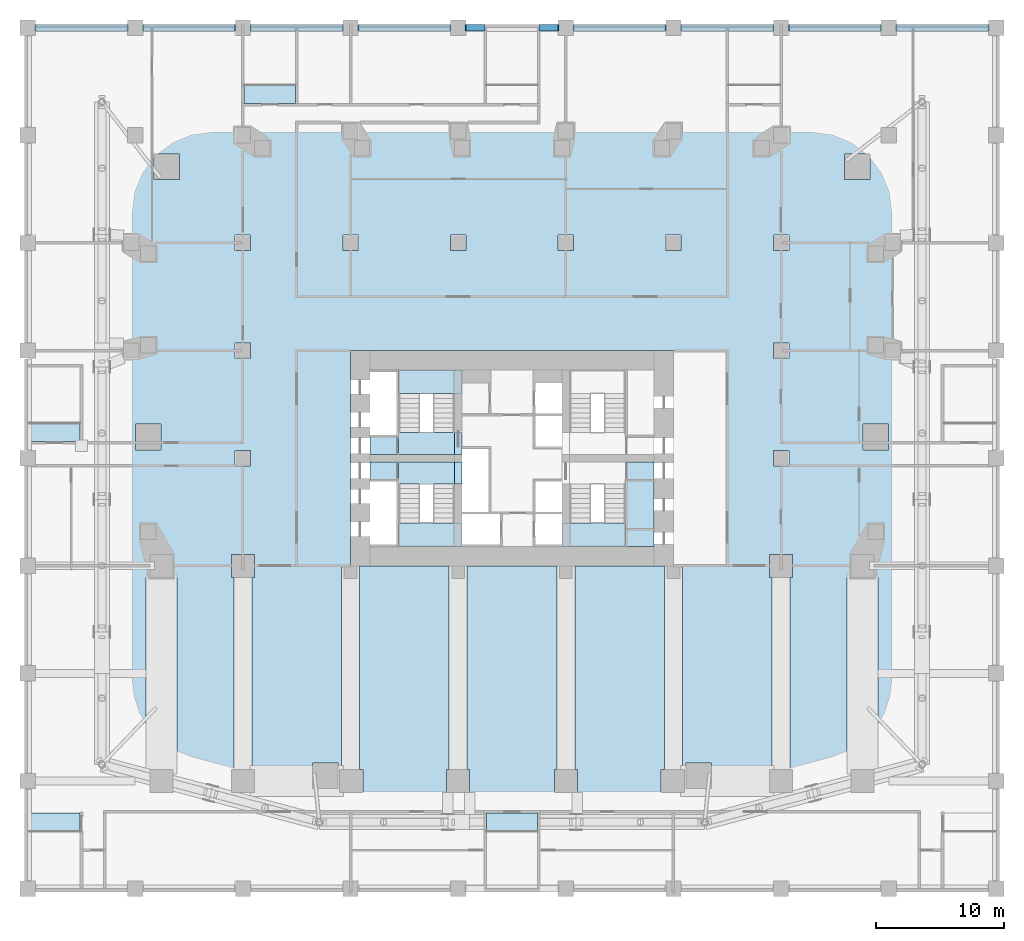
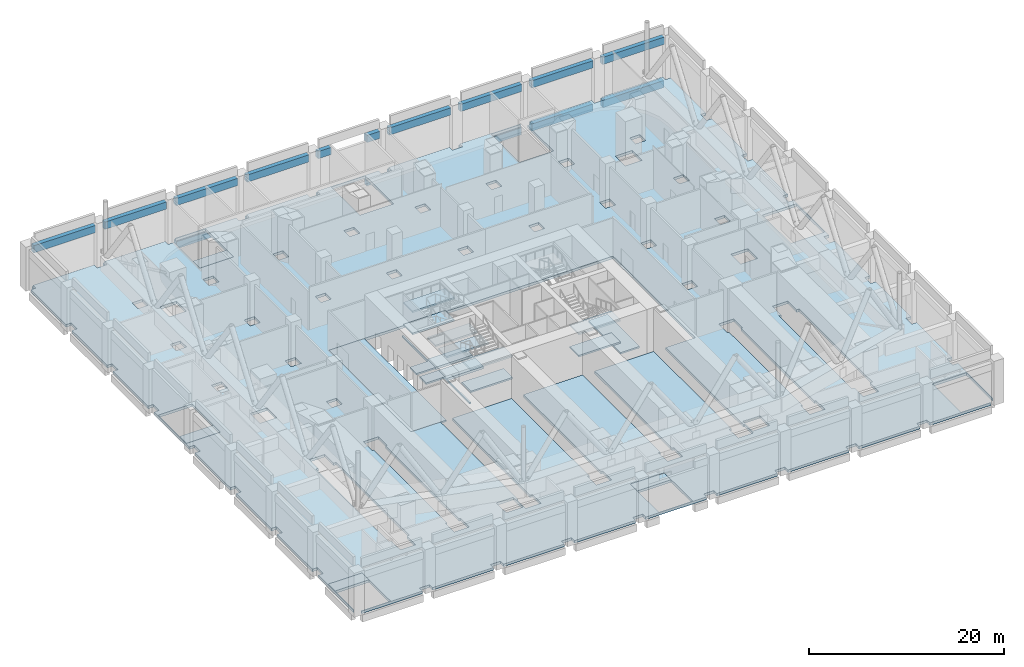
# One storey, part 5 of 17: 20 beams, 19 slabs, 3 elements without a shape of their own.
"""IFC4 building model written with IfcOpenShell, lengths in metres."""

from ifc_helpers import new_model, si_unit, direction, frame, origin, origin_2d, place, context, subcontext, project, spatial, polyline, rectangle, outline, extrude, material, layer, layer_set, material_profile, profile_set, type_object, element, aggregate, save


model = new_model("IFC4")

# Units and contexts
model_context = context("Model", 3, precision=1e-05, world=origin(), true_north=direction((0.0, 1.0)))
body_context = subcontext(model_context, "Body", "Model", "MODEL_VIEW")
ifc_project = project(units=[si_unit("LENGTHUNIT", "METRE"), si_unit("AREAUNIT", "SQUARE_METRE"), si_unit("VOLUMEUNIT", "CUBIC_METRE"), si_unit("PLANEANGLEUNIT", "RADIAN"), si_unit("MASSUNIT", "GRAM", prefix="KILO")], contexts=[model_context])

# Site, building, storey
site_placement = place(None, origin())
site = spatial("IfcSite", under=ifc_project, at=site_placement, CompositionType="ELEMENT")
building_placement = place(site_placement, origin())
building = spatial("IfcBuilding", under=site, at=building_placement, Name="Marenta Gate Hotel Tower", CompositionType="ELEMENT")
storey_placement = place(building_placement, frame((0.0, 0.0, 31.0)))
storey = spatial("IfcBuildingStorey", under=building, at=storey_placement, Name="L05", CompositionType="ELEMENT", Elevation=31.0)

# Beams
ifc_material_1 = material(Name="Concrete C60", Category="concrete")
ifc_material_profile = material_profile(ifc_material_1, rectangle(XDim=0.5, YDim=0.89990234375, at=origin_2d()), Name="500 x 900")
ifc_profile_set = profile_set([ifc_material_profile], Name="Concrete C60")
beam_type = type_object("IfcBeamType", Name="Podium edge beam 500 x 900 C60", PredefinedType="BEAM", material=ifc_profile_set)
for number, where, z_axis, x_axis, name in (
    (1, (37.199951171875, 42.0, -0.77001953125), (-1.0, 0.0, 0.0), (0.0, -1.0, 0.0), "L05-PBM-192"),
    (2, (28.800048828125, 42.0, -0.77001953125), (-1.0, 0.0, 0.0), (0.0, -1.0, 0.0), "L05-PBM-193"),
    (3, (20.39990234375, 42.0, -0.77001953125), (-1.0, 0.0, 0.0), (0.0, -1.0, 0.0), "L05-PBM-194"),
    (4, (12.0, 42.0, -0.77001953125), (-1.0, 0.0, 0.0), (0.0, -1.0, 0.0), "L05-PBM-195"),
):
    element("IfcBeam", number, at=place(storey_placement, frame(where, z_axis=z_axis, x_axis=x_axis)), inside=storey, type_object=beam_type, Name=name, PredefinedType="BEAM", context=body_context, shape_type="SweptSolid", body=[
        extrude(rectangle(XDim=0.5, YDim=0.89990234375, at=origin_2d()), origin(), (0.0, 0.0, 1.0), 7.199951171875),
    ])
for number, where, z_axis, x_axis, name in (
    (5, (3.60009765625, 42.0, -0.77001953125), (-1.0, 0.0, 0.0), (0.0, -1.0, 0.0), "L05-PBM-196"),
    (6, (-2.10009765625, 42.0, -0.77001953125), (-1.0, 0.0, 0.0), (0.0, -1.0, 0.0), "L05-PBM-197"),
):
    element("IfcBeam", number, at=place(storey_placement, frame(where, z_axis=z_axis, x_axis=x_axis)), inside=storey, type_object=beam_type, Name=name, PredefinedType="BEAM", context=body_context, shape_type="SweptSolid", body=[
        extrude(rectangle(XDim=0.5, YDim=0.89990234375, at=origin_2d()), origin(), (0.0, 0.0, 1.0), 1.5),
    ])
for number, where, z_axis, x_axis, name in (
    (7, (-4.800048828125, 42.0, -0.77001953125), (-1.0, 0.0, 0.0), (0.0, -1.0, 0.0), "L05-PBM-198"),
    (8, (-13.199951171875, 42.0, -0.77001953125), (-1.0, 0.0, 0.0), (0.0, -1.0, 0.0), "L05-PBM-199"),
    (9, (-21.60009765625, 42.0, -0.77001953125), (-1.0, 0.0, 0.0), (0.0, -1.0, 0.0), "L05-PBM-200"),
    (10, (-30.0, 42.0, -0.77001953125), (-1.0, 0.0, 0.0), (0.0, -1.0, 0.0), "L05-PBM-201"),
):
    element("IfcBeam", number, at=place(storey_placement, frame(where, z_axis=z_axis, x_axis=x_axis)), inside=storey, type_object=beam_type, Name=name, PredefinedType="BEAM", context=body_context, shape_type="SweptSolid", body=[
        extrude(rectangle(XDim=0.5, YDim=0.89990234375, at=origin_2d()), origin(), (0.0, 0.0, 1.0), 7.199951171875),
    ])
for number, where, z_axis, x_axis, name in (
    (11, (37.25, 42.0, 4.6298828125), (-1.0, 0.0, 0.0), (0.0, -1.0, 0.0), "L05-PBM-226"),
    (12, (28.85009765625, 42.0, 4.6298828125), (-1.0, 0.0, 0.0), (0.0, -1.0, 0.0), "L05-PBM-227"),
    (13, (20.449951171875, 42.0, 4.6298828125), (-1.0, 0.0, 0.0), (0.0, -1.0, 0.0), "L05-PBM-228"),
    (14, (12.050048828125, 42.0, 4.6298828125), (-1.0, 0.0, 0.0), (0.0, -1.0, 0.0), "L05-PBM-229"),
):
    element("IfcBeam", number, at=place(storey_placement, frame(where, z_axis=z_axis, x_axis=x_axis)), inside=storey, type_object=beam_type, Name=name, PredefinedType="BEAM", context=body_context, shape_type="SweptSolid", body=[
        extrude(rectangle(XDim=0.5, YDim=0.89990234375, at=origin_2d()), origin(), (0.0, 0.0, 1.0), 7.300048828125),
    ])
for number, where, z_axis, x_axis, name in (
    (15, (3.64990234375, 42.0, 4.6298828125), (-1.0, 0.0, 0.0), (0.0, -1.0, 0.0), "L05-PBM-230"),
    (16, (-2.10009765625, 42.0, 4.6298828125), (-1.0, 0.0, 0.0), (0.0, -1.0, 0.0), "L05-PBM-231"),
):
    element("IfcBeam", number, at=place(storey_placement, frame(where, z_axis=z_axis, x_axis=x_axis)), inside=storey, type_object=beam_type, Name=name, PredefinedType="BEAM", context=body_context, shape_type="SweptSolid", body=[
        extrude(rectangle(XDim=0.5, YDim=0.89990234375, at=origin_2d()), origin(), (0.0, 0.0, 1.0), 1.5498046875),
    ])
for number, where, z_axis, x_axis, name in (
    (17, (-4.75, 42.0, 4.6298828125), (-1.0, 0.0, 0.0), (0.0, -1.0, 0.0), "L05-PBM-232"),
    (18, (-13.14990234375, 42.0, 4.6298828125), (-1.0, 0.0, 0.0), (0.0, -1.0, 0.0), "L05-PBM-233"),
    (19, (-21.550048828125, 42.0, 4.6298828125), (-1.0, 0.0, 0.0), (0.0, -1.0, 0.0), "L05-PBM-234"),
    (20, (-29.949951171875, 42.0, 4.6298828125), (-1.0, 0.0, 0.0), (0.0, -1.0, 0.0), "L05-PBM-235"),
):
    element("IfcBeam", number, at=place(storey_placement, frame(where, z_axis=z_axis, x_axis=x_axis)), inside=storey, type_object=beam_type, Name=name, PredefinedType="BEAM", context=body_context, shape_type="SweptSolid", body=[
        extrude(rectangle(XDim=0.5, YDim=0.89990234375, at=origin_2d()), origin(), (0.0, 0.0, 1.0), 7.300048828125),
    ])

# Slabs
ifc_material_2 = material(Name="Concrete C40", Category="concrete")
ifc_layer_1 = layer(ifc_material_2, 0.199951171875)
ifc_layer_set_1 = layer_set([ifc_layer_1], Name="Concrete C40")
slab_type_1 = type_object("IfcSlabType", Name="Core floor slab 200", PredefinedType="FLOOR", material=ifc_layer_set_1)
slab_1_placement = place(storey_placement, frame((0.0, 0.0, -0.199951171875)))
element("IfcSlab", 21, at=slab_1_placement, inside=storey, type_object=slab_type_1, Name="L05-CF-3", PredefinedType="FLOOR", context=body_context, shape_type="SweptSolid", body=[
    extrude(outline(polyline([(11.10009765625, 8.10009765625), (11.10009765625, 1.5), (8.85009765625, 1.5), (8.85009765625, 6.39990234375), (8.85009765625, 8.10009765625), (11.10009765625, 8.10009765625)])), origin(), (0.0, 0.0, 1.0), 0.199951171875),
])
slab_2_placement = place(storey_placement, frame((0.0, 0.0, -0.199951171875)))
element("IfcSlab", 22, at=slab_2_placement, inside=storey, type_object=slab_type_1, Name="L05-CF-5", PredefinedType="FLOOR", context=body_context, shape_type="SweptSolid", body=[
    extrude(outline(polyline([(-8.85009765625, 8.10009765625), (-8.85009765625, 6.39990234375), (-8.85009765625, 1.5), (-9.0, 1.5), (-9.0, 1.64990234375), (-9.0, 4.050048828125), (-9.0, 4.199951171875), (-9.0, 6.60009765625), (-9.0, 6.75), (-11.10009765625, 6.75), (-11.10009765625, 8.10009765625), (-8.85009765625, 8.10009765625)])), origin(), (0.0, 0.0, 1.0), 0.199951171875),
])
slab_3_placement = place(storey_placement, frame((0.0, 0.0, -0.199951171875)))
element("IfcSlab", 23, at=slab_3_placement, inside=storey, type_object=slab_type_1, Name="L05-CF-6", PredefinedType="FLOOR", context=body_context, shape_type="SweptSolid", body=[
    extrude(outline(polyline([(-8.85009765625, 10.39990234375), (-8.85009765625, 8.699951171875), (-11.10009765625, 8.699951171875), (-11.10009765625, 10.050048828125), (-9.0, 10.050048828125), (-9.0, 10.199951171875), (-9.0, 12.60009765625), (-9.0, 12.75), (-9.0, 15.14990234375), (-9.0, 15.300048828125), (-8.85009765625, 15.300048828125), (-8.85009765625, 10.39990234375)])), origin(), (0.0, 0.0, 1.0), 0.199951171875),
])
slab_4_placement = place(storey_placement, frame((0.0, 0.0, -0.199951171875)))
element("IfcSlab", 24, at=slab_4_placement, inside=storey, type_object=slab_type_1, Name="L05-CF-7", PredefinedType="FLOOR", context=body_context, shape_type="SweptSolid", body=[
    extrude(outline(polyline([(-12.60009765625, 16.800048828125), (-12.60009765625, 0.0), (-16.800048828125, 0.0), (-16.800048828125, 16.800048828125), (-12.60009765625, 16.800048828125)])), origin(), (0.0, 0.0, 1.0), 0.199951171875),
])

# Stair, slabs
ifc_material_3 = material(Name="Concrete C40", Category="concrete")
stair_type = type_object("IfcStairType", Name="Core exit stair 1640 wide", PredefinedType="HALF_TURN_STAIR", material=ifc_material_3)
stair_1_placement = place(storey_placement, origin())
stair_1 = element("IfcStair", 25, at=stair_1_placement, inside=storey, type_object=stair_type, Name="Exit stair 1", PredefinedType="HALF_TURN_STAIR")
ifc_material_4 = material(Name="Concrete C40", Category="concrete")
ifc_layer_2 = layer(ifc_material_4, 0.199951171875)
ifc_layer_set_2 = layer_set([ifc_layer_2], Name="Concrete C40")
slab_type_2 = type_object("IfcSlabType", Name="Core stair landing 200", PredefinedType="LANDING", material=ifc_layer_set_2)
slab_5_placement = place(storey_placement, frame((0.0, 0.0, 1.175048828125)))
slab_5 = element("IfcSlab", 26, at=slab_5_placement, type_object=slab_type_2, Name="SL-200 ST1 landing 1", PredefinedType="LANDING", context=body_context, shape_type="SweptSolid", body=[
    extrude(outline(polyline([(-8.85009765625, 1.5), (-3.89990234375, 1.5), (-3.89990234375, 3.360107421875), (-8.85009765625, 3.360107421875), (-8.85009765625, 1.5)])), origin(), (0.0, 0.0, 1.0), 0.199951171875),
])
slab_6_placement = place(storey_placement, frame((0.0, 0.0, 2.550048828125)))
slab_6 = element("IfcSlab", 27, at=slab_6_placement, type_object=slab_type_2, Name="SL-200 ST1 landing 2", PredefinedType="LANDING", context=body_context, shape_type="SweptSolid", body=[
    extrude(outline(polyline([(-8.85009765625, 6.39990234375), (-3.89990234375, 6.39990234375), (-3.89990234375, 8.10009765625), (-8.85009765625, 8.10009765625), (-8.85009765625, 6.39990234375)])), origin(), (0.0, 0.0, 1.0), 0.199951171875),
])
slab_7_placement = place(storey_placement, frame((0.0, 0.0, 3.925048828125)))
slab_7 = element("IfcSlab", 28, at=slab_7_placement, type_object=slab_type_2, Name="SL-200 ST1 landing 3", PredefinedType="LANDING", context=body_context, shape_type="SweptSolid", body=[
    extrude(outline(polyline([(-8.85009765625, 1.5), (-3.89990234375, 1.5), (-3.89990234375, 3.360107421875), (-8.85009765625, 3.360107421875), (-8.85009765625, 1.5)])), origin(), (0.0, 0.0, 1.0), 0.199951171875),
])
aggregate(stair_1, [slab_5, slab_6, slab_7])

stair_2_placement = place(storey_placement, origin())
stair_2 = element("IfcStair", 29, at=stair_2_placement, inside=storey, type_object=stair_type, Name="Exit stair 2", PredefinedType="HALF_TURN_STAIR")
slab_8_placement = place(storey_placement, frame((0.0, 0.0, 1.175048828125)))
slab_8 = element("IfcSlab", 30, at=slab_8_placement, type_object=slab_type_2, Name="SL-200 ST2 landing 1", PredefinedType="LANDING", context=body_context, shape_type="SweptSolid", body=[
    extrude(outline(polyline([(-8.85009765625, 13.43994140625), (-3.89990234375, 13.43994140625), (-3.89990234375, 15.300048828125), (-8.85009765625, 15.300048828125), (-8.85009765625, 13.43994140625)])), origin(), (0.0, 0.0, 1.0), 0.199951171875),
])
slab_9_placement = place(storey_placement, frame((0.0, 0.0, 2.550048828125)))
slab_9 = element("IfcSlab", 31, at=slab_9_placement, type_object=slab_type_2, Name="SL-200 ST2 landing 2", PredefinedType="LANDING", context=body_context, shape_type="SweptSolid", body=[
    extrude(outline(polyline([(-8.85009765625, 8.699951171875), (-3.89990234375, 8.699951171875), (-3.89990234375, 10.39990234375), (-8.85009765625, 10.39990234375), (-8.85009765625, 8.699951171875)])), origin(), (0.0, 0.0, 1.0), 0.199951171875),
])
slab_10_placement = place(storey_placement, frame((0.0, 0.0, 3.925048828125)))
slab_10 = element("IfcSlab", 32, at=slab_10_placement, type_object=slab_type_2, Name="SL-200 ST2 landing 3", PredefinedType="LANDING", context=body_context, shape_type="SweptSolid", body=[
    extrude(outline(polyline([(-8.85009765625, 13.43994140625), (-3.89990234375, 13.43994140625), (-3.89990234375, 15.300048828125), (-8.85009765625, 15.300048828125), (-8.85009765625, 13.43994140625)])), origin(), (0.0, 0.0, 1.0), 0.199951171875),
])
aggregate(stair_2, [slab_8, slab_9, slab_10])

stair_3_placement = place(storey_placement, origin())
stair_3 = element("IfcStair", 33, at=stair_3_placement, inside=storey, type_object=stair_type, Name="Exit stair 3", PredefinedType="HALF_TURN_STAIR")
slab_11_placement = place(storey_placement, frame((0.0, 0.0, 1.175048828125)))
slab_11 = element("IfcSlab", 34, at=slab_11_placement, type_object=slab_type_2, Name="SL-200 ST3 landing 1", PredefinedType="LANDING", context=body_context, shape_type="SweptSolid", body=[
    extrude(outline(polyline([(3.89990234375, 1.5), (8.85009765625, 1.5), (8.85009765625, 3.360107421875), (3.89990234375, 3.360107421875), (3.89990234375, 1.5)])), origin(), (0.0, 0.0, 1.0), 0.199951171875),
])
slab_12_placement = place(storey_placement, frame((0.0, 0.0, 3.925048828125)))
slab_12 = element("IfcSlab", 35, at=slab_12_placement, type_object=slab_type_2, Name="SL-200 ST3 landing 3", PredefinedType="LANDING", context=body_context, shape_type="SweptSolid", body=[
    extrude(outline(polyline([(3.89990234375, 1.5), (8.85009765625, 1.5), (8.85009765625, 3.360107421875), (3.89990234375, 3.360107421875), (3.89990234375, 1.5)])), origin(), (0.0, 0.0, 1.0), 0.199951171875),
])
aggregate(stair_3, [slab_11, slab_12])

# Slabs
ifc_material_5 = material(Name="Concrete C40", Category="concrete")
ifc_layer_3 = layer(ifc_material_5, 0.320068359375)
ifc_layer_set_3 = layer_set([ifc_layer_3], Name="Concrete C40")
slab_type_3 = type_object("IfcSlabType", Name="Podium flat slab 320 C40", PredefinedType="FLOOR", material=ifc_layer_set_3)
slab_13_placement = place(storey_placement, frame((0.0, 0.0, -0.320068359375)))
element("IfcSlab", 36, at=slab_13_placement, inside=storey, type_object=slab_type_3, Name="PS1 L05-PSL-1", PredefinedType="FLOOR", context=body_context, shape_type="SweptSolid", body=[
    extrude(outline(polyline([(-37.800048828125, -17.39990234375), (-37.800048828125, -24.60009765625), (-37.699951171875, -24.60009765625), (-37.699951171875, -19.300048828125), (-33.699951171875, -19.300048828125), (-33.699951171875, -25.10009765625), (-37.199951171875, -25.10009765625), (-37.199951171875, -25.199951171875), (-30.0, -25.199951171875), (-30.0, -24.60009765625), (-28.800048828125, -24.60009765625), (-28.800048828125, -25.199951171875), (-21.60009765625, -25.199951171875), (-21.60009765625, -24.60009765625), (-20.39990234375, -24.60009765625), (-20.39990234375, -25.199951171875), (-13.199951171875, -25.199951171875), (-13.199951171875, -24.60009765625), (-12.0, -24.60009765625), (-12.0, -25.199951171875), (-4.800048828125, -25.199951171875), (-4.800048828125, -24.60009765625), (-3.60009765625, -24.60009765625), (-3.60009765625, -25.199951171875), (3.60009765625, -25.199951171875), (3.60009765625, -24.60009765625), (4.800048828125, -24.60009765625), (4.800048828125, -25.199951171875), (12.0, -25.199951171875), (12.0, -24.60009765625), (13.199951171875, -24.60009765625), (13.199951171875, -25.199951171875), (20.39990234375, -25.199951171875), (20.39990234375, -24.60009765625), (21.60009765625, -24.60009765625), (21.60009765625, -25.199951171875), (28.800048828125, -25.199951171875), (28.800048828125, -24.60009765625), (30.0, -24.60009765625), (30.0, -25.199951171875), (37.199951171875, -25.199951171875), (37.199951171875, -25.10009765625), (33.699951171875, -25.10009765625), (33.699951171875, -19.300048828125), (37.699951171875, -19.300048828125), (37.699951171875, -24.60009765625), (37.800048828125, -24.60009765625), (37.800048828125, -17.39990234375), (37.199951171875, -17.39990234375), (37.199951171875, -16.199951171875), (37.800048828125, -16.199951171875), (37.800048828125, -9.0), (37.199951171875, -9.0), (37.199951171875, -7.800048828125), (37.800048828125, -7.800048828125), (37.800048828125, -0.60009765625), (37.199951171875, -0.60009765625), (37.199951171875, 0.60009765625), (37.800048828125, 0.60009765625), (37.800048828125, 7.800048828125), (37.199951171875, 7.800048828125), (37.199951171875, 9.0), (37.800048828125, 9.0), (37.800048828125, 16.199951171875), (37.199951171875, 16.199951171875), (37.199951171875, 17.39990234375), (37.800048828125, 17.39990234375), (37.800048828125, 24.60009765625), (37.199951171875, 24.60009765625), (37.199951171875, 25.800048828125), (37.800048828125, 25.800048828125), (37.800048828125, 33.0), (37.199951171875, 33.0), (37.199951171875, 34.199951171875), (37.800048828125, 34.199951171875), (37.800048828125, 41.39990234375), (37.199951171875, 41.39990234375), (37.199951171875, 42.0), (30.0, 42.0), (30.0, 41.39990234375), (28.800048828125, 41.39990234375), (28.800048828125, 42.0), (21.60009765625, 42.0), (21.60009765625, 41.39990234375), (20.89990234375, 41.39990234375), (20.89990234375, 36.10009765625), (16.89990234375, 36.10009765625), (16.89990234375, 41.89990234375), (20.39990234375, 41.89990234375), (20.39990234375, 42.0), (13.199951171875, 42.0), (13.199951171875, 41.39990234375), (12.0, 41.39990234375), (12.0, 42.0), (4.800048828125, 42.0), (4.800048828125, 41.39990234375), (3.60009765625, 41.39990234375), (3.60009765625, 42.0), (-3.60009765625, 42.0), (-3.60009765625, 41.39990234375), (-4.800048828125, 41.39990234375), (-4.800048828125, 42.0), (-12.0, 42.0), (-12.0, 41.39990234375), (-13.199951171875, 41.39990234375), (-13.199951171875, 42.0), (-20.39990234375, 42.0), (-20.39990234375, 41.89990234375), (-16.89990234375, 41.89990234375), (-16.89990234375, 36.10009765625), (-20.89990234375, 36.10009765625), (-20.89990234375, 41.39990234375), (-21.60009765625, 41.39990234375), (-21.60009765625, 42.0), (-28.800048828125, 42.0), (-28.800048828125, 41.39990234375), (-30.0, 41.39990234375), (-30.0, 42.0), (-37.199951171875, 42.0), (-37.199951171875, 41.39990234375), (-37.800048828125, 41.39990234375), (-37.800048828125, 34.199951171875), (-37.199951171875, 34.199951171875), (-37.199951171875, 33.0), (-37.800048828125, 33.0), (-37.800048828125, 25.800048828125), (-37.199951171875, 25.800048828125), (-37.199951171875, 24.60009765625), (-37.800048828125, 24.60009765625), (-37.800048828125, 17.39990234375), (-37.199951171875, 17.39990234375), (-37.199951171875, 16.199951171875), (-37.800048828125, 16.199951171875), (-37.800048828125, 9.0), (-37.199951171875, 9.0), (-37.199951171875, 7.800048828125), (-37.800048828125, 7.800048828125), (-37.800048828125, 0.60009765625), (-37.199951171875, 0.60009765625), (-37.199951171875, -0.60009765625), (-37.800048828125, -0.60009765625), (-37.800048828125, -7.800048828125), (-37.199951171875, -7.800048828125), (-37.199951171875, -9.0), (-37.800048828125, -9.0), (-37.800048828125, -16.199951171875), (-37.199951171875, -16.199951171875), (-37.199951171875, -17.39990234375), (-37.800048828125, -17.39990234375)]), holes=[polyline([(33.699951171875, 15.5), (37.699951171875, 15.5), (37.699951171875, 9.699951171875), (33.699951171875, 9.699951171875), (33.699951171875, 15.5)]), polyline([(29.1201171875, 17.39990234375), (30.320068359375, 17.39990234375), (30.320068359375, 16.199951171875), (29.1201171875, 16.199951171875), (29.1201171875, 17.39990234375)]), polyline([(29.1201171875, 25.800048828125), (30.320068359375, 25.800048828125), (30.320068359375, 24.60009765625), (29.1201171875, 24.60009765625), (29.1201171875, 25.800048828125)]), polyline([(28.800048828125, 34.199951171875), (30.0, 34.199951171875), (30.0, 33.0), (28.800048828125, 33.0), (28.800048828125, 34.199951171875)]), polyline([(27.39990234375, 9.050048828125), (27.39990234375, 11.050048828125), (29.39990234375, 11.050048828125), (29.39990234375, 9.050048828125), (27.39990234375, 9.050048828125)]), polyline([(26.462890625, -15.89990234375), (26.1630859375, -15.89990234375), (26.1630859375, -0.89990234375), (26.462890625, -0.89990234375), (26.462890625, 0.89990234375), (28.262939453125, 0.89990234375), (28.262939453125, -0.89990234375), (28.56298828125, -0.89990234375), (28.56298828125, -15.89990234375), (28.262939453125, -15.89990234375), (28.262939453125, -17.699951171875), (26.462890625, -17.699951171875), (26.462890625, -15.89990234375)]), polyline([(25.935546875, 32.135498046875), (27.935546875, 32.135498046875), (27.935546875, 30.135498046875), (25.935546875, 30.135498046875), (25.935546875, 32.135498046875)]), polyline([(20.10009765625, -17.699951171875), (20.10009765625, -15.89990234375), (20.300048828125, -15.89990234375), (20.300048828125, -0.89990234375), (20.10009765625, -0.89990234375), (20.10009765625, 0.89990234375), (21.89990234375, 0.89990234375), (21.89990234375, -0.89990234375), (21.699951171875, -0.89990234375), (21.699951171875, -15.89990234375), (21.89990234375, -15.89990234375), (21.89990234375, -17.699951171875), (20.10009765625, -17.699951171875)]), polyline([(20.39990234375, 9.0), (21.60009765625, 9.0), (21.60009765625, 7.800048828125), (20.39990234375, 7.800048828125), (20.39990234375, 9.0)]), polyline([(20.39990234375, 17.39990234375), (21.60009765625, 17.39990234375), (21.60009765625, 16.199951171875), (20.39990234375, 16.199951171875), (20.39990234375, 17.39990234375)]), polyline([(20.39990234375, 25.800048828125), (21.60009765625, 25.800048828125), (21.60009765625, 24.60009765625), (20.39990234375, 24.60009765625), (20.39990234375, 25.800048828125)]), polyline([(20.39990234375, 33.0), (20.39990234375, 34.199951171875), (21.60009765625, 34.199951171875), (21.60009765625, 33.0), (20.39990234375, 33.0)]), polyline([(-16.800048828125, 16.800048828125), (16.800048828125, 16.800048828125), (16.800048828125, 0.0), (13.300048828125, 0.0), (13.300048828125, -15.89990234375), (13.4462890625, -15.89990234375), (13.4462890625, -17.699951171875), (11.646240234375, -17.699951171875), (11.646240234375, -15.89990234375), (11.89990234375, -15.89990234375), (11.89990234375, 0.0), (4.89990234375, 0.0), (4.89990234375, -15.89990234375), (5.10009765625, -15.89990234375), (5.10009765625, -17.699951171875), (3.300048828125, -17.699951171875), (3.300048828125, -15.89990234375), (3.5, -15.89990234375), (3.5, 0.0), (-3.5, 0.0), (-3.5, -15.89990234375), (-3.300048828125, -15.89990234375), (-3.300048828125, -17.699951171875), (-5.10009765625, -17.699951171875), (-5.10009765625, -15.89990234375), (-4.89990234375, -15.89990234375), (-4.89990234375, 0.0), (-11.89990234375, 0.0), (-11.89990234375, -15.89990234375), (-11.646240234375, -15.89990234375), (-11.646240234375, -17.699951171875), (-13.4462890625, -17.699951171875), (-13.4462890625, -15.89990234375), (-13.300048828125, -15.89990234375), (-13.300048828125, 0.0), (-16.800048828125, 0.0), (-16.800048828125, 16.800048828125)]), polyline([(13.56640625, -15.374755859375), (15.56640625, -15.374755859375), (15.56640625, -17.374755859375), (13.56640625, -17.374755859375), (13.56640625, -15.374755859375)]), polyline([(12.0, 34.52001953125), (13.199951171875, 34.52001953125), (13.199951171875, 33.320068359375), (12.0, 33.320068359375), (12.0, 34.52001953125)]), polyline([(12.0, 25.800048828125), (13.199951171875, 25.800048828125), (13.199951171875, 24.60009765625), (12.0, 24.60009765625), (12.0, 25.800048828125)]), polyline([(3.60009765625, 34.52001953125), (4.800048828125, 34.52001953125), (4.800048828125, 33.320068359375), (3.60009765625, 33.320068359375), (3.60009765625, 34.52001953125)]), polyline([(3.60009765625, 24.60009765625), (3.60009765625, 25.800048828125), (4.800048828125, 25.800048828125), (4.800048828125, 24.60009765625), (3.60009765625, 24.60009765625)]), polyline([(-2.0, -19.300048828125), (2.0, -19.300048828125), (2.0, -25.10009765625), (-2.0, -25.10009765625), (-2.0, -19.300048828125)]), polyline([(-2.0, 41.89990234375), (2.0, 41.89990234375), (2.0, 36.10009765625), (-2.0, 36.10009765625), (-2.0, 41.89990234375)]), polyline([(-4.800048828125, 34.52001953125), (-3.60009765625, 34.52001953125), (-3.60009765625, 33.320068359375), (-4.800048828125, 33.320068359375), (-4.800048828125, 34.52001953125)]), polyline([(-4.800048828125, 24.60009765625), (-4.800048828125, 25.800048828125), (-3.60009765625, 25.800048828125), (-3.60009765625, 24.60009765625), (-4.800048828125, 24.60009765625)]), polyline([(-13.199951171875, 33.320068359375), (-13.199951171875, 34.52001953125), (-12.0, 34.52001953125), (-12.0, 33.320068359375), (-13.199951171875, 33.320068359375)]), polyline([(-13.199951171875, 24.60009765625), (-13.199951171875, 25.800048828125), (-12.0, 25.800048828125), (-12.0, 24.60009765625), (-13.199951171875, 24.60009765625)]), polyline([(-15.56640625, -17.374755859375), (-15.56640625, -15.374755859375), (-13.56640625, -15.374755859375), (-13.56640625, -17.374755859375), (-15.56640625, -17.374755859375)]), polyline([(-21.89990234375, -15.89990234375), (-21.699951171875, -15.89990234375), (-21.699951171875, -0.89990234375), (-21.89990234375, -0.89990234375), (-21.89990234375, 0.89990234375), (-20.10009765625, 0.89990234375), (-20.10009765625, -0.89990234375), (-20.300048828125, -0.89990234375), (-20.300048828125, -15.89990234375), (-20.10009765625, -15.89990234375), (-20.10009765625, -17.699951171875), (-21.89990234375, -17.699951171875), (-21.89990234375, -15.89990234375)]), polyline([(-21.60009765625, 9.0), (-20.39990234375, 9.0), (-20.39990234375, 7.800048828125), (-21.60009765625, 7.800048828125), (-21.60009765625, 9.0)]), polyline([(-21.60009765625, 16.199951171875), (-21.60009765625, 17.39990234375), (-20.39990234375, 17.39990234375), (-20.39990234375, 16.199951171875), (-21.60009765625, 16.199951171875)]), polyline([(-21.60009765625, 25.800048828125), (-20.39990234375, 25.800048828125), (-20.39990234375, 24.60009765625), (-21.60009765625, 24.60009765625), (-21.60009765625, 25.800048828125)]), polyline([(-21.60009765625, 33.0), (-21.60009765625, 34.199951171875), (-20.39990234375, 34.199951171875), (-20.39990234375, 33.0), (-21.60009765625, 33.0)]), polyline([(-27.935546875, 30.135498046875), (-27.935546875, 32.135498046875), (-25.935546875, 32.135498046875), (-25.935546875, 30.135498046875), (-27.935546875, 30.135498046875)]), polyline([(-28.262939453125, -0.89990234375), (-28.262939453125, 0.89990234375), (-26.462890625, 0.89990234375), (-26.462890625, -0.89990234375), (-26.1630859375, -0.89990234375), (-26.1630859375, -15.89990234375), (-26.462890625, -15.89990234375), (-26.462890625, -17.699951171875), (-28.262939453125, -17.699951171875), (-28.262939453125, -15.89990234375), (-28.56298828125, -15.89990234375), (-28.56298828125, -0.89990234375), (-28.262939453125, -0.89990234375)]), polyline([(-29.39990234375, 11.050048828125), (-27.39990234375, 11.050048828125), (-27.39990234375, 9.050048828125), (-29.39990234375, 9.050048828125), (-29.39990234375, 11.050048828125)]), polyline([(-30.0, 34.199951171875), (-28.800048828125, 34.199951171875), (-28.800048828125, 33.0), (-30.0, 33.0), (-30.0, 34.199951171875)]), polyline([(-30.320068359375, 24.60009765625), (-30.320068359375, 25.800048828125), (-29.1201171875, 25.800048828125), (-29.1201171875, 24.60009765625), (-30.320068359375, 24.60009765625)]), polyline([(-30.320068359375, 17.39990234375), (-29.1201171875, 17.39990234375), (-29.1201171875, 16.199951171875), (-30.320068359375, 16.199951171875), (-30.320068359375, 17.39990234375)]), polyline([(-37.699951171875, 9.699951171875), (-37.699951171875, 15.5), (-33.699951171875, 15.5), (-33.699951171875, 9.699951171875), (-37.699951171875, 9.699951171875)])]), origin(), (0.0, 0.0, 1.0), 0.320068359375),
])
ifc_material_6 = material(Name="Concrete C40", Category="concrete")
ifc_layer_4 = layer(ifc_material_6, 0.300048828125)
ifc_layer_set_4 = layer_set([ifc_layer_4], Name="Concrete C40")
slab_type_4 = type_object("IfcSlabType", Name="Stair floor landing slab 300", PredefinedType="FLOOR", material=ifc_layer_set_4)
slab_14_placement = place(storey_placement, frame((0.0, 0.0, -0.300048828125)))
element("IfcSlab", 37, at=slab_14_placement, inside=storey, type_object=slab_type_4, Name="L05-CL-ST1-1", PredefinedType="FLOOR", context=body_context, shape_type="SweptSolid", body=[
    extrude(outline(polyline([(-4.5, 6.39990234375), (-8.85009765625, 6.39990234375), (-8.85009765625, 8.10009765625), (-4.5, 8.10009765625), (-4.5, 6.39990234375)])), origin(), (0.0, 0.0, 1.0), 0.300048828125),
])
slab_15_placement = place(storey_placement, frame((0.0, 0.0, -0.300048828125)))
element("IfcSlab", 38, at=slab_15_placement, inside=storey, type_object=slab_type_4, Name="L05-CL-ST2-1", PredefinedType="FLOOR", context=body_context, shape_type="SweptSolid", body=[
    extrude(outline(polyline([(-4.5, 8.699951171875), (-8.85009765625, 8.699951171875), (-8.85009765625, 10.39990234375), (-4.5, 10.39990234375), (-4.5, 8.699951171875)])), origin(), (0.0, 0.0, 1.0), 0.300048828125),
])
slab_16_placement = place(storey_placement, frame((0.0, 0.0, -0.300048828125)))
element("IfcSlab", 39, at=slab_16_placement, inside=storey, type_object=slab_type_4, Name="L05-CL-PX1-1", PredefinedType="FLOOR", context=body_context, shape_type="SweptSolid", body=[
    extrude(outline(polyline([(-33.699951171875, -20.72998046875), (-37.699951171875, -20.72998046875), (-37.699951171875, -19.300048828125), (-33.699951171875, -19.300048828125), (-33.699951171875, -20.72998046875)])), origin(), (0.0, 0.0, 1.0), 0.300048828125),
])
slab_17_placement = place(storey_placement, frame((0.0, 0.0, -0.300048828125)))
element("IfcSlab", 40, at=slab_17_placement, inside=storey, type_object=slab_type_4, Name="L05-CL-PX3-1", PredefinedType="FLOOR", context=body_context, shape_type="SweptSolid", body=[
    extrude(outline(polyline([(-16.89990234375, 36.10009765625), (-20.89990234375, 36.10009765625), (-20.89990234375, 37.530029296875), (-16.89990234375, 37.530029296875), (-16.89990234375, 36.10009765625)])), origin(), (0.0, 0.0, 1.0), 0.300048828125),
])
slab_18_placement = place(storey_placement, frame((0.0, 0.0, -0.300048828125)))
element("IfcSlab", 41, at=slab_18_placement, inside=storey, type_object=slab_type_4, Name="L05-CL-PX5-1", PredefinedType="FLOOR", context=body_context, shape_type="SweptSolid", body=[
    extrude(outline(polyline([(2.0, -20.72998046875), (-2.0, -20.72998046875), (-2.0, -19.300048828125), (2.0, -19.300048828125), (2.0, -20.72998046875)])), origin(), (0.0, 0.0, 1.0), 0.300048828125),
])
slab_19_placement = place(storey_placement, frame((0.0, 0.0, -0.300048828125)))
element("IfcSlab", 42, at=slab_19_placement, inside=storey, type_object=slab_type_4, Name="L05-CL-PX6-1", PredefinedType="FLOOR", context=body_context, shape_type="SweptSolid", body=[
    extrude(outline(polyline([(-33.699951171875, 9.699951171875), (-37.699951171875, 9.699951171875), (-37.699951171875, 11.1298828125), (-33.699951171875, 11.1298828125), (-33.699951171875, 9.699951171875)])), origin(), (0.0, 0.0, 1.0), 0.300048828125),
])

save(model, "model.ifc")
